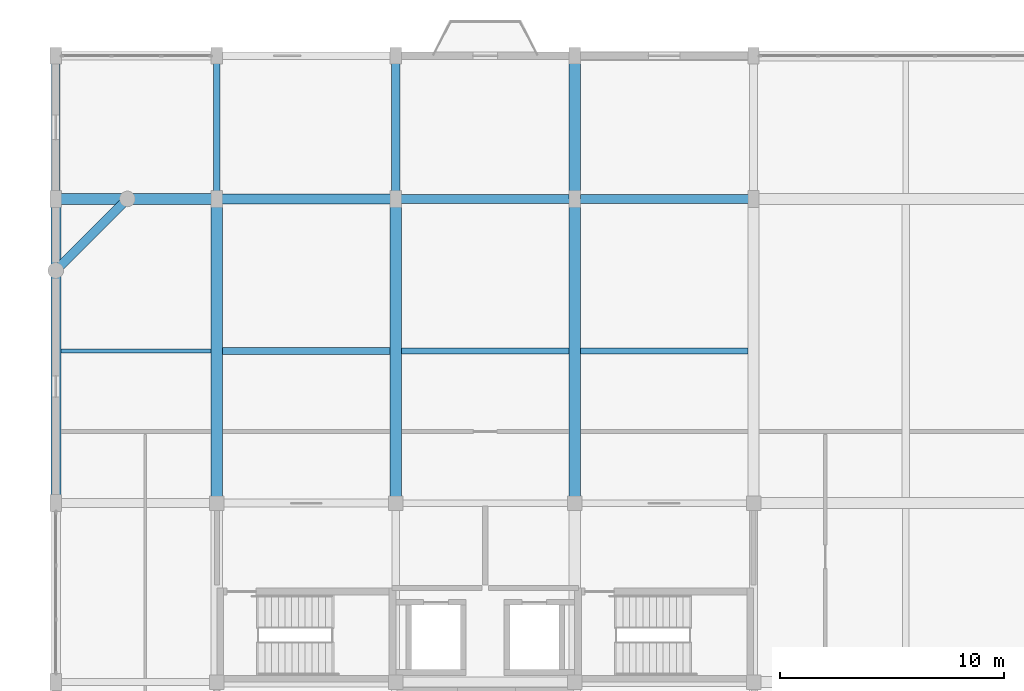
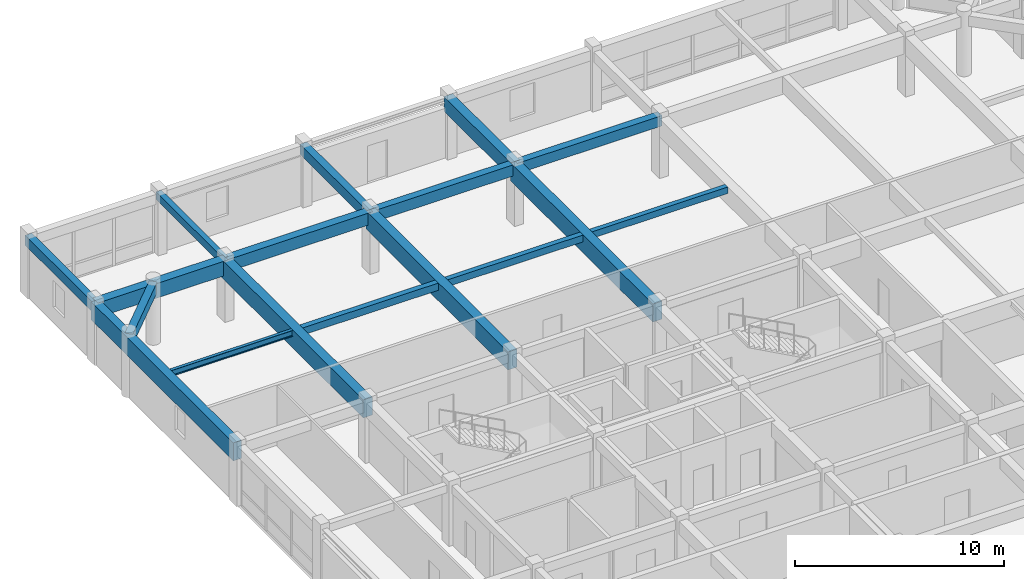
# One storey, part 6 of 13: 17 beams.
"""IFC4 building model written with IfcOpenShell, lengths in metres."""

from ifc_helpers import new_model, si_unit, direction, frame, origin, origin_2d, place, context, subcontext, project, spatial, rectangle, i_section, extrude, material, material_profile, profile_set, type_object, element, save


model = new_model("IFC4")

# Units and contexts
model_context = context("Model", 3, precision=1e-05, world=origin(), true_north=direction((0.0, 1.0)))
body_context = subcontext(model_context, "Body", "Model", "MODEL_VIEW")
ifc_project = project(units=[si_unit("LENGTHUNIT", "METRE"), si_unit("AREAUNIT", "SQUARE_METRE"), si_unit("VOLUMEUNIT", "CUBIC_METRE"), si_unit("PLANEANGLEUNIT", "RADIAN"), si_unit("MASSUNIT", "GRAM", prefix="KILO")], contexts=[model_context])

# Site, building, storey
site_placement = place(None, origin())
site = spatial("IfcSite", under=ifc_project, at=site_placement, CompositionType="ELEMENT")
building_placement = place(site_placement, origin())
building = spatial("IfcBuilding", under=site, at=building_placement, Name="Vellmiral Cinema and Media Centre", CompositionType="ELEMENT")
storey_placement = place(building_placement, frame((0.0, 0.0, 43.300048828125)))
storey = spatial("IfcBuildingStorey", under=building, at=storey_placement, Name="L10", CompositionType="ELEMENT", Elevation=43.300048828125)

# Beams
ifc_material_1 = material(Name="Concrete C40/50", Category="concrete")
ifc_material_profile_1 = material_profile(ifc_material_1, rectangle(XDim=0.300048828125, YDim=0.449951171875, at=origin_2d()), Name="RC 300x450")
ifc_profile_set_1 = profile_set([ifc_material_profile_1], Name="Concrete C40/50")
beam_type_1 = type_object("IfcBeamType", Name="BM-RC-300x450", PredefinedType="BEAM", material=ifc_profile_set_1)
beam_1_placement = place(storey_placement, frame((124.0, 108.800048828125, 3.27001953125), z_axis=(0.0, 1.0, 0.0), x_axis=(-1.0, 0.0, 0.0)))
element("IfcBeam", 1, at=beam_1_placement, inside=storey, type_object=beam_type_1, Name="Grid Beam L10-Y053", PredefinedType="BEAM", context=body_context, shape_type="SweptSolid", body=[
    extrude(rectangle(XDim=0.300048828125, YDim=0.449951171875, at=origin_2d()), origin(), (0.0, 0.0, 1.0), 6.39990234375),
])
ifc_material_2 = material(Name="Concrete C40/50", Category="concrete")
ifc_material_profile_2 = material_profile(ifc_material_2, rectangle(XDim=0.39990234375, YDim=0.60009765625, at=origin_2d()), Name="RC 400x600")
ifc_profile_set_2 = profile_set([ifc_material_profile_2], Name="Concrete C40/50")
beam_type_2 = type_object("IfcBeamType", Name="BM-RC-400x600", PredefinedType="BEAM", material=ifc_profile_set_2)
beam_2_placement = place(storey_placement, frame((140.0, 108.800048828125, 3.195068359375), z_axis=(1.0, 0.0, 0.0), x_axis=(0.0, 1.0, 0.0)))
element("IfcBeam", 2, at=beam_2_placement, inside=storey, type_object=beam_type_2, Name="Grid Beam L10-X034", PredefinedType="BEAM", context=body_context, shape_type="SweptSolid", body=[
    extrude(rectangle(XDim=0.39990234375, YDim=0.60009765625, at=origin_2d()), origin(), (0.0, 0.0, 1.0), 8.0),
])
beam_3_placement = place(storey_placement, frame((132.0, 108.800048828125, 3.195068359375), z_axis=(0.0, 1.0, 0.0), x_axis=(-1.0, 0.0, 0.0)))
element("IfcBeam", 3, at=beam_3_placement, inside=storey, type_object=beam_type_2, Name="Grid Beam L10-Y059", PredefinedType="BEAM", context=body_context, shape_type="SweptSolid", body=[
    extrude(rectangle(XDim=0.39990234375, YDim=0.60009765625, at=origin_2d()), origin(), (0.0, 0.0, 1.0), 6.39990234375),
])
ifc_material_3 = material(Name="Concrete C40/50", Category="concrete")
ifc_material_profile_3 = material_profile(ifc_material_3, rectangle(XDim=0.39990234375, YDim=0.64990234375, at=origin_2d()), Name="RC 400x650")
ifc_profile_set_3 = profile_set([ifc_material_profile_3], Name="Concrete C40/50")
beam_type_3 = type_object("IfcBeamType", Name="BM-RC-400x650", PredefinedType="BEAM", material=ifc_profile_set_3)
beam_4_placement = place(storey_placement, frame((132.0, 108.800048828125, 3.169921875), z_axis=(1.0, 0.0, 0.0), x_axis=(0.0, 1.0, 0.0)))
element("IfcBeam", 4, at=beam_4_placement, inside=storey, type_object=beam_type_3, Name="Grid Beam L10-X033", PredefinedType="BEAM", context=body_context, shape_type="SweptSolid", body=[
    extrude(rectangle(XDim=0.39990234375, YDim=0.64990234375, at=origin_2d()), origin(), (0.0, 0.0, 1.0), 8.0),
])
ifc_material_4 = material(Name="Concrete C40/50", Category="concrete")
ifc_material_profile_4 = material_profile(ifc_material_4, rectangle(XDim=0.449951171875, YDim=0.699951171875, at=origin_2d()), Name="RC 450x700")
ifc_profile_set_4 = profile_set([ifc_material_profile_4], Name="Concrete C40/50")
beam_type_4 = type_object("IfcBeamType", Name="BM-RC-450x700", PredefinedType="BEAM", material=ifc_profile_set_4)
beam_5_placement = place(storey_placement, frame((124.0, 108.800048828125, 3.14501953125), z_axis=(1.0, 0.0, 0.0), x_axis=(0.0, 1.0, 0.0)))
element("IfcBeam", 5, at=beam_5_placement, inside=storey, type_object=beam_type_4, Name="Grid Beam L10-X032", PredefinedType="BEAM", context=body_context, shape_type="SweptSolid", body=[
    extrude(rectangle(XDim=0.449951171875, YDim=0.699951171875, at=origin_2d()), origin(), (0.0, 0.0, 1.0), 8.0),
])
ifc_material_5 = material(Name="Concrete C40/50", Category="concrete")
ifc_material_profile_5 = material_profile(ifc_material_5, rectangle(XDim=0.5, YDim=0.85009765625, at=origin_2d()), Name="RC 500x850")
ifc_profile_set_5 = profile_set([ifc_material_profile_5], Name="Concrete C40/50")
beam_type_5 = type_object("IfcBeamType", Name="BM-RC-500x850", PredefinedType="BEAM", material=ifc_profile_set_5)
beam_6_placement = place(storey_placement, frame((116.800048828125, 108.800048828125, 3.070068359375), z_axis=(1.0, 0.0, 0.0), x_axis=(0.0, 1.0, 0.0)))
element("IfcBeam", 6, at=beam_6_placement, inside=storey, type_object=beam_type_5, Name="Grid Beam L10-X031", PredefinedType="BEAM", context=body_context, shape_type="SweptSolid", body=[
    extrude(rectangle(XDim=0.5, YDim=0.85009765625, at=origin_2d()), origin(), (0.0, 0.0, 1.0), 7.199951171875),
])
beam_7_placement = place(storey_placement, frame((140.0, 108.800048828125, 3.070068359375), z_axis=(0.0, 1.0, 0.0), x_axis=(-1.0, 0.0, 0.0)))
element("IfcBeam", 7, at=beam_7_placement, inside=storey, type_object=beam_type_5, Name="Grid Beam L10-Y065", PredefinedType="BEAM", context=body_context, shape_type="SweptSolid", body=[
    extrude(rectangle(XDim=0.5, YDim=0.85009765625, at=origin_2d()), origin(), (0.0, 0.0, 1.0), 6.39990234375),
])
ifc_material_6 = material(Name="Concrete C40/50", Category="concrete")
ifc_material_profile_6 = material_profile(ifc_material_6, rectangle(XDim=0.5, YDim=1.050048828125, at=origin_2d()), Name="RC 500x1050")
ifc_profile_set_6 = profile_set([ifc_material_profile_6], Name="Concrete C40/50")
beam_type_6 = type_object("IfcBeamType", Name="BM-RCG-500x1050", PredefinedType="BEAM", material=ifc_profile_set_6)
for number, where, z_axis, x_axis, name in (
    (8, (124.0, 95.199951171875, 2.969970703125), (0.0, 1.0, 0.0), (-1.0, 0.0, 0.0), "Grid Beam L10-Y052"),
    (9, (132.0, 95.199951171875, 2.969970703125), (0.0, 1.0, 0.0), (-1.0, 0.0, 0.0), "Grid Beam L10-Y058"),
    (10, (140.0, 95.199951171875, 2.969970703125), (0.0, 1.0, 0.0), (-1.0, 0.0, 0.0), "Grid Beam L10-Y064"),
):
    element("IfcBeam", number, at=place(storey_placement, frame(where, z_axis=z_axis, x_axis=x_axis)), inside=storey, type_object=beam_type_6, Name=name, PredefinedType="BEAM", context=body_context, shape_type="SweptSolid", body=[
        extrude(rectangle(XDim=0.5, YDim=1.050048828125, at=origin_2d()), origin(), (0.0, 0.0, 1.0), 13.60009765625),
    ])
ifc_material_7 = material(Name="Concrete C40/50", Category="concrete")
ifc_material_profile_7 = material_profile(ifc_material_7, rectangle(XDim=0.260009765625, YDim=0.3798828125, at=origin_2d()), Name="RC 260x380")
ifc_profile_set_7 = profile_set([ifc_material_profile_7], Name="Concrete C40/50")
beam_type_7 = type_object("IfcBeamType", Name="JST-RC-260x380", PredefinedType="JOIST", material=ifc_profile_set_7)
beam_8_placement = place(storey_placement, frame((140.25, 102.0, 3.304931640625), z_axis=(1.0, 0.0, 0.0), x_axis=(0.0, 1.0, 0.0)))
element("IfcBeam", 11, at=beam_8_placement, inside=storey, type_object=beam_type_7, Name="Secondary Floor Joist L10-004", PredefinedType="JOIST", context=body_context, shape_type="SweptSolid", body=[
    extrude(rectangle(XDim=0.260009765625, YDim=0.3798828125, at=origin_2d()), origin(), (0.0, 0.0, 1.0), 7.5),
])
ifc_material_8 = material(Name="Concrete C40/50", Category="concrete")
ifc_material_profile_8 = material_profile(ifc_material_8, rectangle(XDim=0.280029296875, YDim=0.39990234375, at=origin_2d()), Name="RC 280x400")
ifc_profile_set_8 = profile_set([ifc_material_profile_8], Name="Concrete C40/50")
beam_type_8 = type_object("IfcBeamType", Name="JST-RC-280x400", PredefinedType="JOIST", material=ifc_profile_set_8)
beam_9_placement = place(storey_placement, frame((132.25, 102.0, 3.294921875), z_axis=(1.0, 0.0, 0.0), x_axis=(0.0, 1.0, 0.0)))
element("IfcBeam", 12, at=beam_9_placement, inside=storey, type_object=beam_type_8, Name="Secondary Floor Joist L10-003", PredefinedType="JOIST", context=body_context, shape_type="SweptSolid", body=[
    extrude(rectangle(XDim=0.280029296875, YDim=0.39990234375, at=origin_2d()), origin(), (0.0, 0.0, 1.0), 7.5),
])
ifc_material_9 = material(Name="Concrete C40/50", Category="concrete")
ifc_material_profile_9 = material_profile(ifc_material_9, rectangle(XDim=0.300048828125, YDim=0.419921875, at=origin_2d()), Name="RC 300x420")
ifc_profile_set_9 = profile_set([ifc_material_profile_9], Name="Concrete C40/50")
beam_type_9 = type_object("IfcBeamType", Name="JST-RC-300x420", PredefinedType="JOIST", material=ifc_profile_set_9)
beam_10_placement = place(storey_placement, frame((124.25, 102.0, 3.284912109375), z_axis=(1.0, 0.0, 0.0), x_axis=(0.0, 1.0, 0.0)))
element("IfcBeam", 13, at=beam_10_placement, inside=storey, type_object=beam_type_9, Name="Secondary Floor Joist L10-002", PredefinedType="JOIST", context=body_context, shape_type="SweptSolid", body=[
    extrude(rectangle(XDim=0.300048828125, YDim=0.419921875, at=origin_2d()), origin(), (0.0, 0.0, 1.0), 7.5),
])
ifc_material_10 = material(Name="Steel S355", Category="steel")
ifc_material_profile_10 = material_profile(ifc_material_10, i_section(OverallWidth=0.169921875, OverallDepth=0.360107421875, WebThickness=0.008056640625, FlangeThickness=0.0126953125, FilletRadius=0.01806640625, at=origin_2d()), Name="IPE 360")
ifc_profile_set_10 = profile_set([ifc_material_profile_10], Name="Steel S355")
beam_type_10 = type_object("IfcBeamType", Name="SBM-IPE360", PredefinedType="JOIST", material=ifc_profile_set_10)
beam_11_placement = place(storey_placement, frame((117.02490234375, 102.0, 3.31494140625), z_axis=(1.0, 0.0, 0.0), x_axis=(0.0, 1.0, 0.0)))
element("IfcBeam", 14, at=beam_11_placement, inside=storey, type_object=beam_type_10, Name="Secondary Floor Joist L10-001", PredefinedType="JOIST", context=body_context, shape_type="SweptSolid", body=[
    extrude(i_section(OverallWidth=0.169921875, OverallDepth=0.360107421875, WebThickness=0.008056640625, FlangeThickness=0.0126953125, FilletRadius=0.01806640625, at=origin_2d()), origin(), (0.0, 0.0, 1.0), 6.72509765625),
])
ifc_material_11 = material(Name="Concrete C40/50", Category="concrete")
ifc_material_profile_11 = material_profile(ifc_material_11, rectangle(XDim=0.39990234375, YDim=0.60009765625, at=origin_2d()), Name="RC 400x600")
ifc_profile_set_11 = profile_set([ifc_material_profile_11], Name="Concrete C40/50")
beam_type_11 = type_object("IfcBeamType", Name="SPD-RC-400x600", PredefinedType="SPANDREL", material=ifc_profile_set_11)
beam_12_placement = place(storey_placement, frame((116.800048828125, 105.60009765625, 3.195068359375), z_axis=(0.707106781187, 0.707106781187, 0.0), x_axis=(-0.707106781187, 0.707106781187, 0.0)))
element("IfcBeam", 15, at=beam_12_placement, inside=storey, type_object=beam_type_11, Name="Xamfra Chamfer Spandrel Beam L10-084", PredefinedType="SPANDREL", context=body_context, shape_type="SweptSolid", body=[
    extrude(rectangle(XDim=0.39990234375, YDim=0.60009765625, at=origin_2d()), origin(), (0.0, 0.0, 1.0), 4.525390625),
])
ifc_material_12 = material(Name="Concrete C40/50", Category="concrete")
ifc_material_profile_12 = material_profile(ifc_material_12, rectangle(XDim=0.449951171875, YDim=1.050048828125, at=origin_2d()), Name="RC 450x1050")
ifc_profile_set_12 = profile_set([ifc_material_profile_12], Name="Concrete C40/50")
beam_type_12 = type_object("IfcBeamType", Name="SPD-RCG-450x1050", PredefinedType="SPANDREL", material=ifc_profile_set_12)
beam_13_placement = place(storey_placement, frame((116.800048828125, 95.199951171875, 2.969970703125), z_axis=(0.0, 1.0, 0.0), x_axis=(-1.0, 0.0, 0.0)))
element("IfcBeam", 16, at=beam_13_placement, inside=storey, type_object=beam_type_12, Name="Grid Beam L10-Y046", PredefinedType="SPANDREL", context=body_context, shape_type="SweptSolid", body=[
    extrude(rectangle(XDim=0.449951171875, YDim=1.050048828125, at=origin_2d()), origin(), (0.0, 0.0, 1.0), 13.60009765625),
])
ifc_material_13 = material(Name="Vosges Red Sandstone Masonry", Category="masonry")
ifc_material_profile_13 = material_profile(ifc_material_13, rectangle(XDim=0.3798828125, YDim=0.580078125, at=origin_2d()), Name="SAND 380x580")
ifc_profile_set_13 = profile_set([ifc_material_profile_13], Name="Vosges Red Sandstone Masonry")
beam_type_13 = type_object("IfcBeamType", Name="SPD-SAND-380x580", PredefinedType="SPANDREL", material=ifc_profile_set_13)
beam_14_placement = place(storey_placement, frame((116.800048828125, 108.800048828125, 3.204833984375), z_axis=(0.0, 1.0, 0.0), x_axis=(-1.0, 0.0, 0.0)))
element("IfcBeam", 17, at=beam_14_placement, inside=storey, type_object=beam_type_13, Name="Grid Beam L10-Y047", PredefinedType="SPANDREL", context=body_context, shape_type="SweptSolid", body=[
    extrude(rectangle(XDim=0.3798828125, YDim=0.580078125, at=origin_2d()), origin(), (0.0, 0.0, 1.0), 6.39990234375),
])

save(model, "model.ifc")
